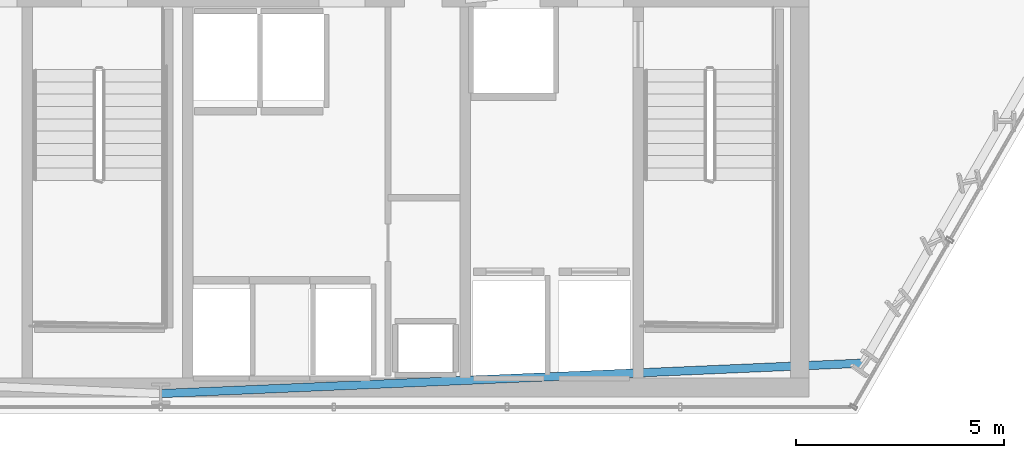
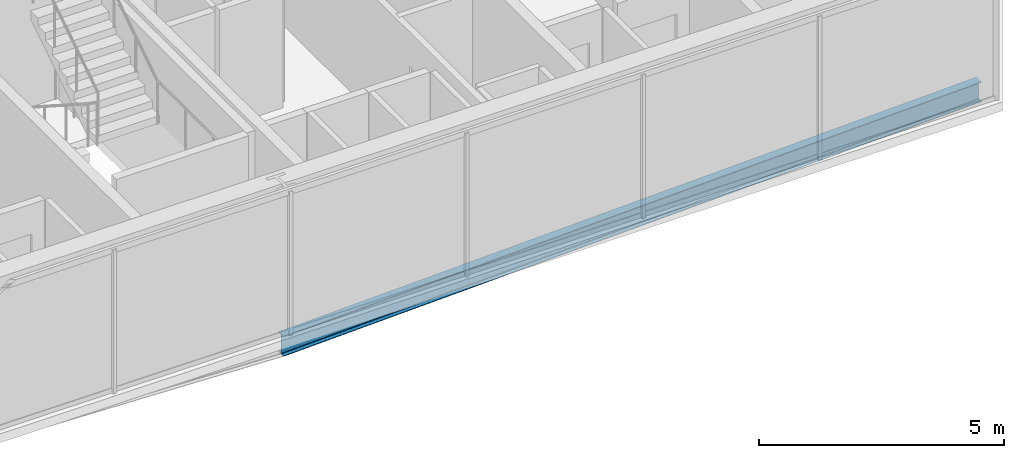
# One storey, part 10 of 32: 1 beam.
"""IFC4 building model written with IfcOpenShell, lengths in metres."""

from ifc_helpers import new_model, si_unit, direction, frame, origin, origin_2d, place, context, subcontext, project, spatial, i_section, extrude, material, material_profile, profile_set, type_object, element, save


model = new_model("IFC4")

# Units and contexts
model_context = context("Model", 3, precision=1e-05, world=origin(), true_north=direction((0.0, 1.0)))
body_context = subcontext(model_context, "Body", "Model", "MODEL_VIEW")
ifc_project = project(units=[si_unit("LENGTHUNIT", "METRE"), si_unit("AREAUNIT", "SQUARE_METRE"), si_unit("VOLUMEUNIT", "CUBIC_METRE"), si_unit("PLANEANGLEUNIT", "RADIAN"), si_unit("MASSUNIT", "GRAM", prefix="KILO")], contexts=[model_context])

# Site, building, storey
site_placement = place(None, origin())
site = spatial("IfcSite", under=ifc_project, at=site_placement, CompositionType="ELEMENT")
building_placement = place(site_placement, origin())
building = spatial("IfcBuilding", under=site, at=building_placement, Name="Ndaravel Arena Tower", CompositionType="ELEMENT")
storey_placement = place(building_placement, frame((0.0, 0.0, 96.800048828125)))
storey = spatial("IfcBuildingStorey", under=building, at=storey_placement, Name="L22", CompositionType="ELEMENT", Elevation=96.800048828125)

# Beam
ifc_material = material(Name="Steel S355", Category="steel")
ifc_material_profile = material_profile(ifc_material, i_section(OverallWidth=0.199951171875, OverallDepth=0.5, WebThickness=0.01025390625, FlangeThickness=0.01611328125, FilletRadius=0.02099609375, at=origin_2d()), Name="IPE 500")
ifc_profile_set = profile_set([ifc_material_profile], Name="Steel S355")
beam_type = type_object("IfcBeamType", Name="BM-SPAN-IPE500", PredefinedType="SPANDREL", material=ifc_profile_set)
beam_placement = place(storey_placement, frame((42.0, 5.47998046875, -0.469970703125), z_axis=(0.999062811126, 0.043283939567, 0.0), x_axis=(-0.043283939567, 0.999062811126, 0.0)))
element("IfcBeam", 1, at=beam_placement, inside=storey, type_object=beam_type, Name="L22 Perimeter Spandrel Beam SP-01", PredefinedType="SPANDREL", context=body_context, shape_type="SweptSolid", body=[
    extrude(i_section(OverallWidth=0.199951171875, OverallDepth=0.5, WebThickness=0.01025390625, FlangeThickness=0.01611328125, FilletRadius=0.02099609375, at=origin_2d()), origin(), (0.0, 0.0, 1.0), 16.864990234375),
])

save(model, "model.ifc")
